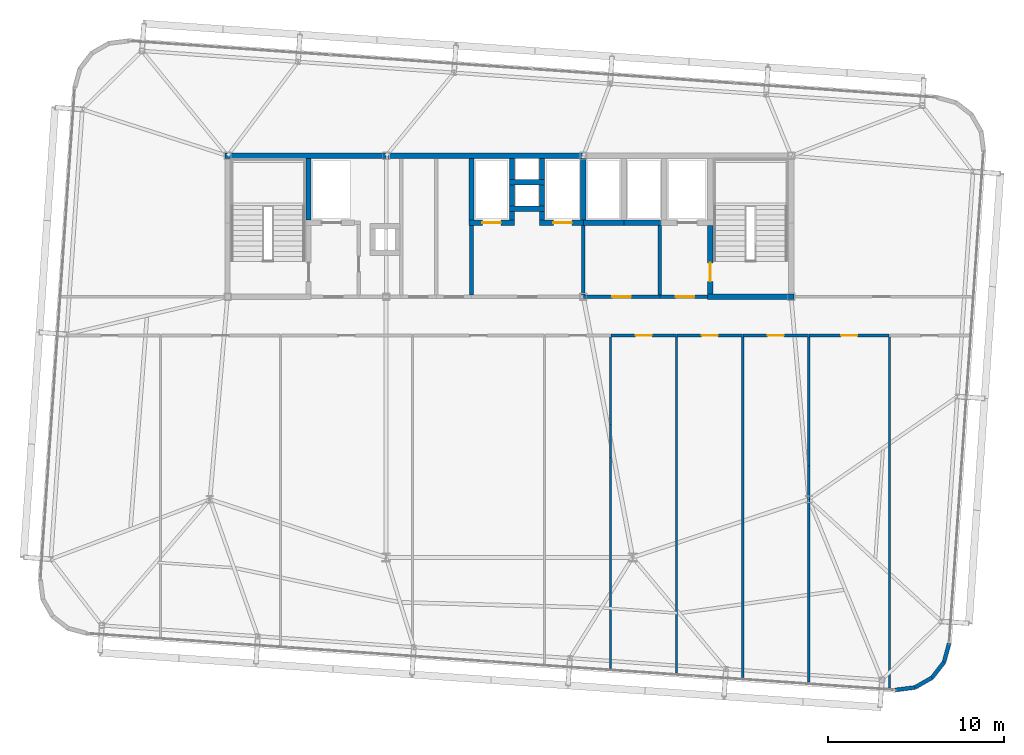
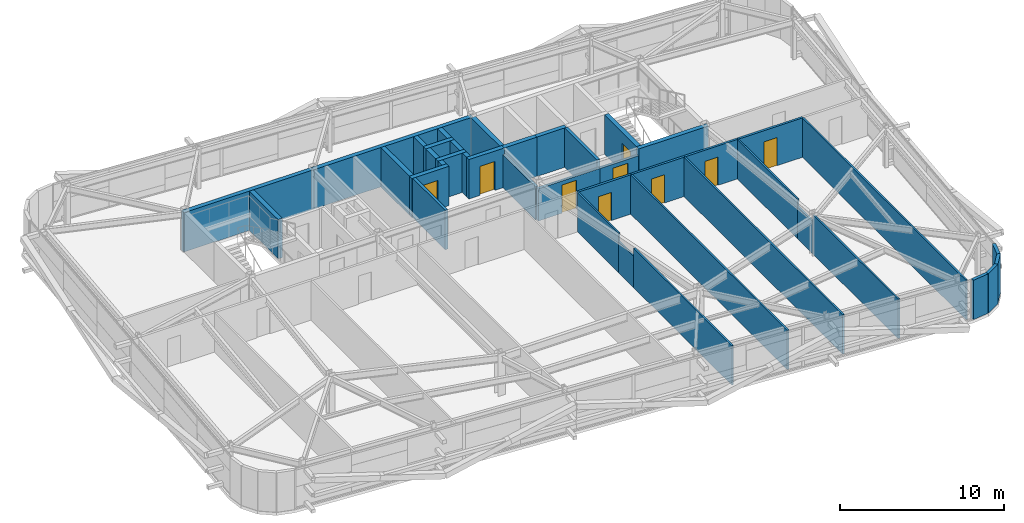
# One storey, part 36 of 39: 41 walls, 9 doors, 9 openings.
"""IFC4 building model written with IfcOpenShell, lengths in metres."""

from ifc_helpers import new_model, si_unit, direction, frame, frame_2d, origin, place, context, subcontext, project, spatial, rectangle, extrude, source, transform, mapped, material, layer, layer_set, type_object, element, fill, save


model = new_model("IFC4")

# Units and contexts
model_context = context("Model", 3, precision=1e-05, world=origin(), true_north=direction((0.0, 1.0)))
body_context = subcontext(model_context, "Body", "Model", "MODEL_VIEW")
ifc_project = project(units=[si_unit("LENGTHUNIT", "METRE"), si_unit("AREAUNIT", "SQUARE_METRE"), si_unit("VOLUMEUNIT", "CUBIC_METRE"), si_unit("PLANEANGLEUNIT", "RADIAN"), si_unit("MASSUNIT", "GRAM", prefix="KILO")], contexts=[model_context])

# Site, building, storey
site_placement = place(None, origin())
site = spatial("IfcSite", under=ifc_project, at=site_placement, CompositionType="ELEMENT")
building_placement = place(site_placement, origin())
building = spatial("IfcBuilding", under=site, at=building_placement, Name="Taldren Reach Tower", CompositionType="ELEMENT")
storey_placement = place(building_placement, frame((0.0, 0.0, 136.14990234375)))
storey = spatial("IfcBuildingStorey", under=building, at=storey_placement, Name="L41", CompositionType="ELEMENT", Elevation=136.14990234375)

# Walls
ifc_material_1 = material(Name="Pale Champagne Anodised Aluminium Cladding", Category="aluminium")
ifc_layer_1 = layer(ifc_material_1, 0.04, Name="Pale Champagne Anodised Aluminium Cladding", Category="aluminium")
ifc_material_2 = material(Name="Mineral Wool Acoustic Insulation", Category="insulation")
ifc_layer_2 = layer(ifc_material_2, 0.06, Name="Mineral Wool Acoustic Insulation", Category="insulation")
ifc_material_3 = material(Name="Steel Gr 350 (C350L0)", Category="steel")
ifc_layer_3 = layer(ifc_material_3, 0.12, Name="Steel Gr 350 (C350L0)", Category="steel")
ifc_layer_set_1 = layer_set([ifc_layer_1, ifc_layer_2, ifc_layer_3], Name="Pale Champagne Aluminium Cladding and Steel Gr 350 Stud Framing")
wall_type_1 = type_object("IfcWallType", Name="EW-CRN-220", PredefinedType="SOLIDWALL", material=ifc_layer_set_1)
shared_shape_1 = source(origin(), body_context, "Body", "SweptSolid", [
    extrude(rectangle(XDim=1.115966796875, YDim=0.219970703125, at=frame_2d((0.55810546875, 0.0))), origin(), (0.0, 0.0, 1.0), 2.93017578125),
])
for number, where, z_axis, x_axis, name in (
    (1, (58.02490234375, 1.8173828125, 0.0), (0.0, 0.0, 1.0), (0.868095010314, 0.496398079235, 0.0), "Rounded-corner pale-metal facade wall L41-SE2"),
    (2, (58.99365234375, 2.371337890625, 0.0), (0.0, 0.0, 1.0), (0.612318787668, 0.790610967714, 0.0), "Rounded-corner pale-metal facade wall L41-SE3"),
    (3, (59.677001953125, 3.253662109375, 0.0), (0.0, 0.0, 1.0), (0.262969307856, 0.964804199372, 0.0), "Rounded-corner pale-metal facade wall L41-SE4"),
):
    element("IfcWall", number, at=place(storey_placement, frame(where, z_axis=z_axis, x_axis=x_axis)), inside=storey, type_object=wall_type_1, Name=name, PredefinedType="SOLIDWALL", context=body_context, shape_type="MappedRepresentation", body=[
        mapped(shared_shape_1, transform((0.0, 0.0, 0.0), scale=1.0)),
    ])
shared_shape_2 = source(origin(), body_context, "Body", "SweptSolid", [
    extrude(rectangle(XDim=1.11572265625, YDim=0.219970703125, at=frame_2d((0.557861328125, 0.0))), origin(), (0.0, 0.0, 1.0), 2.93017578125),
])
wall_1_placement = place(storey_placement, frame((56.91796875, 1.6767578125, 0.0), z_axis=(0.0, 0.0, 1.0), x_axis=(0.99202678349, 0.126027222605, 0.0)))
element("IfcWall", 4, at=wall_1_placement, inside=storey, type_object=wall_type_1, Name="Rounded-corner pale-metal facade wall L41-SE1", PredefinedType="SOLIDWALL", context=body_context, shape_type="MappedRepresentation", body=[
    mapped(shared_shape_2, transform((0.0, 0.0, 0.0), scale=1.0)),
])
ifc_material_4 = material(Name="Concrete S65 (65 MPa)", Category="concrete")
ifc_layer_4 = layer(ifc_material_4, 0.300048828125)
ifc_layer_set_2 = layer_set([ifc_layer_4], Name="Concrete S65 (65 MPa)")
wall_type_2 = type_object("IfcWallType", Name="IW-CORE-300", PredefinedType="SHEAR", material=ifc_layer_set_2)
shared_shape_3 = source(origin(), body_context, "Body", "SweptSolid", [
    extrude(rectangle(XDim=9.14990234375, YDim=0.300048828125, at=frame_2d((4.574951171875, 0.0))), origin(), (0.0, 0.0, 1.0), 2.93017578125),
])
wall_2_placement = place(storey_placement, frame((18.85009765625, 32.0, 0.0), z_axis=(0.0, 0.0, 1.0), x_axis=(1.0, 0.0, 0.0)))
element("IfcWall", 5, at=wall_2_placement, inside=storey, type_object=wall_type_2, Name="Rear Core Shear Wall W-CORE-L41-NORTH1", PredefinedType="SHEAR", context=body_context, shape_type="MappedRepresentation", body=[
    mapped(shared_shape_3, transform((0.0, 0.0, 0.0), scale=1.0)),
])
shared_shape_4 = source(origin(), body_context, "Body", "SweptSolid", [
    extrude(rectangle(XDim=11.199951171875, YDim=0.300048828125, at=frame_2d((5.60009765625, 0.0))), origin(), (0.0, 0.0, 1.0), 2.93017578125),
])
wall_3_placement = place(storey_placement, frame((28.0, 32.0, 0.0), z_axis=(0.0, 0.0, 1.0), x_axis=(1.0, 0.0, 0.0)))
element("IfcWall", 6, at=wall_3_placement, inside=storey, type_object=wall_type_2, Name="Rear Core Shear Wall W-CORE-L41-NORTH2", PredefinedType="SHEAR", context=body_context, shape_type="MappedRepresentation", body=[
    mapped(shared_shape_4, transform((0.0, 0.0, 0.0), scale=1.0)),
])
shared_shape_5 = source(origin(), body_context, "Body", "SweptSolid", [
    extrude(rectangle(XDim=3.5, YDim=0.300048828125, at=frame_2d((1.75, 0.0))), origin(), (0.0, 0.0, 1.0), 2.93017578125),
])
for number, where, z_axis, x_axis, name in (
    (7, (23.60009765625, 28.35009765625, 0.0), (0.0, 0.0, 1.0), (0.0, 1.0, 0.0), "Rear Core Shear Wall W-INT-L41-001"),
    (8, (32.85009765625, 31.85009765625, 0.0), (0.0, 0.0, 1.0), (0.0, -1.0, 0.0), "Rear Core Shear Wall W-INT-L41-026"),
    (9, (39.199951171875, 28.35009765625, 0.0), (0.0, 0.0, 1.0), (0.0, 1.0, 0.0), "Rear Core Shear Wall W-INT-L41-029"),
):
    element("IfcWall", number, at=place(storey_placement, frame(where, z_axis=z_axis, x_axis=x_axis)), inside=storey, type_object=wall_type_2, Name=name, PredefinedType="SHEAR", context=body_context, shape_type="MappedRepresentation", body=[
        mapped(shared_shape_5, transform((0.0, 0.0, 0.0), scale=1.0)),
    ])

# Wall, opening, door
shared_shape_6 = source(origin(), body_context, "Body", "SweptSolid", [
    extrude(rectangle(XDim=3.900146484375, YDim=0.300048828125, at=frame_2d((1.9501953125, 0.0))), origin(), (0.0, 0.0, 1.0), 2.93017578125),
])
wall_4_placement = place(storey_placement, frame((46.39990234375, 28.050048828125, 0.0), z_axis=(0.0, 0.0, 1.0), x_axis=(0.0, -1.0, 0.0)))
wall_4 = element("IfcWall", 10, at=wall_4_placement, inside=storey, type_object=wall_type_2, Name="Rear Core Shear Wall W-INT-L41-008", PredefinedType="SHEAR", context=body_context, shape_type="MappedRepresentation", body=[
    mapped(shared_shape_6, transform((0.0, 0.0, 0.0), scale=1.0)),
])
shared_shape_7 = source(origin(), body_context, "Body", "SweptSolid", [
    extrude(rectangle(XDim=1.050048828125, YDim=2.10009765625, at=frame_2d((0.52490234375, 1.050048828125))), frame((0.0, 0.16015625, 0.0), z_axis=(0.0, -1.0, 0.0), x_axis=(1.0, 0.0, 0.0)), (0.0, 0.0, 1.0), 0.320068359375),
])
opening_1_placement = place(wall_4_placement, frame((2.125, 0.0, 0.0)))
opening_1 = element("IfcOpeningElement", 11, at=opening_1_placement, cuts=wall_4, Name="Opening DF-105", PredefinedType="OPENING", context=body_context, shape_type="MappedRepresentation", body=[
    mapped(shared_shape_7, transform((0.0, 0.0, 0.0), scale=1.0)),
])
ifc_material_5 = material(Name="Fire-Rated Care and Stair Exit Door")
door_type_1 = type_object("IfcDoorType", Name="ID-FIRE-105", OperationType="NOTDEFINED", PredefinedType="DOOR", material=ifc_material_5)
shared_shape_8 = source(origin(), body_context, "Body", "SweptSolid", [
    extrude(rectangle(XDim=1.050048828125, YDim=2.10009765625, at=frame_2d((0.52490234375, 1.050048828125))), frame((0.0, 0.02490234375, 0.0), z_axis=(0.0, -1.0, 0.0), x_axis=(1.0, 0.0, 0.0)), (0.0, 0.0, 1.0), 0.050048828125),
])
door_1_placement = place(opening_1_placement, origin())
door_1 = element("IfcDoor", 12, at=door_1_placement, inside=storey, type_object=door_type_1, Name="Fire Exit Stair Door DR-L41-003", OperationType="SINGLE_SWING_RIGHT", OverallHeight=2.10009765625, OverallWidth=1.050048828125, PredefinedType="DOOR", context=body_context, shape_type="MappedRepresentation", body=[
    mapped(shared_shape_8, transform((0.0, 0.0, 0.0), scale=1.0)),
])
fill(opening_1, door_1)

# Walls
shared_shape_9 = source(origin(), body_context, "Body", "SweptSolid", [
    extrude(rectangle(XDim=4.89990234375, YDim=0.300048828125, at=frame_2d((2.449951171875, 0.0))), origin(), (0.0, 0.0, 1.0), 2.93017578125),
])
wall_5_placement = place(storey_placement, frame((46.25, 24.0, 0.0), z_axis=(0.0, 0.0, 1.0), x_axis=(1.0, 0.0, 0.0)))
element("IfcWall", 13, at=wall_5_placement, inside=storey, type_object=wall_type_2, Name="Rear Core Shear Wall W-INT-L41-009", PredefinedType="SHEAR", context=body_context, shape_type="MappedRepresentation", body=[
    mapped(shared_shape_9, transform((0.0, 0.0, 0.0), scale=1.0)),
])
ifc_material_6 = material(Name="Concrete S50 (50 MPa)", Category="concrete")
ifc_layer_5 = layer(ifc_material_6, 0.199951171875)
ifc_layer_set_3 = layer_set([ifc_layer_5], Name="Concrete S50 (50 MPa)")
wall_type_3 = type_object("IfcWallType", Name="IW-CORE-200", PredefinedType="SOLIDWALL", material=ifc_layer_set_3)
shared_shape_10 = source(origin(), body_context, "Body", "SweptSolid", [
    extrude(rectangle(XDim=3.949951171875, YDim=0.199951171875, at=frame_2d((1.97509765625, 0.0))), origin(), (0.0, 0.0, 1.0), 2.93017578125),
])
for number, where, z_axis, x_axis, name in (
    (14, (43.550048828125, 28.050048828125, 0.0), (0.0, 0.0, 1.0), (0.0, -1.0, 0.0), "Rear Core Shear Wall W-INT-L41-012"),
    (15, (32.85009765625, 24.10009765625, 0.0), (0.0, 0.0, 1.0), (0.0, 1.0, 0.0), "Rear Core Shear Wall W-INT-L41-030"),
):
    element("IfcWall", number, at=place(storey_placement, frame(where, z_axis=z_axis, x_axis=x_axis)), inside=storey, type_object=wall_type_3, Name=name, PredefinedType="SOLIDWALL", context=body_context, shape_type="MappedRepresentation", body=[
        mapped(shared_shape_10, transform((0.0, 0.0, 0.0), scale=1.0)),
    ])

# Wall, opening, door
shared_shape_11 = source(origin(), body_context, "Body", "SweptSolid", [
    extrude(rectangle(XDim=2.699951171875, YDim=0.199951171875, at=frame_2d((1.35009765625, 0.0))), origin(), (0.0, 0.0, 1.0), 2.397216796875),
])
wall_6_placement = place(storey_placement, frame((43.550048828125, 24.0, 0.0), z_axis=(0.0, 0.0, 1.0), x_axis=(1.0, 0.0, 0.0)))
wall_6 = element("IfcWall", 16, at=wall_6_placement, inside=storey, type_object=wall_type_3, Name="Rear Core Shear Wall W-INT-L41-013", PredefinedType="SOLIDWALL", context=body_context, shape_type="MappedRepresentation", body=[
    mapped(shared_shape_11, transform((0.0, 0.0, 0.0), scale=1.0)),
])
shared_shape_12 = source(origin(), body_context, "Body", "SweptSolid", [
    extrude(rectangle(XDim=1.050048828125, YDim=2.10009765625, at=frame_2d((0.52490234375, 1.050048828125))), frame((0.0, 0.10986328125, 0.0), z_axis=(0.0, -1.0, 0.0), x_axis=(1.0, 0.0, 0.0)), (0.0, 0.0, 1.0), 0.219970703125),
])
opening_2_placement = place(wall_6_placement, frame((0.89990234375, 0.0, 0.0)))
opening_2 = element("IfcOpeningElement", 17, at=opening_2_placement, cuts=wall_6, Name="Opening DF-105", PredefinedType="OPENING", context=body_context, shape_type="MappedRepresentation", body=[
    mapped(shared_shape_12, transform((0.0, 0.0, 0.0), scale=1.0)),
])
door_2_placement = place(opening_2_placement, origin())
door_2 = element("IfcDoor", 18, at=door_2_placement, inside=storey, type_object=door_type_1, Name="Interior Door DR-L41-004", OperationType="SINGLE_SWING_LEFT", OverallHeight=2.10009765625, OverallWidth=1.050048828125, PredefinedType="DOOR", context=body_context, shape_type="MappedRepresentation", body=[
    mapped(shared_shape_8, transform((0.0, 0.0, 0.0), scale=1.0)),
])
fill(opening_2, door_2)

# Walls
shared_shape_13 = source(origin(), body_context, "Body", "SweptSolid", [
    extrude(rectangle(XDim=2.0, YDim=0.300048828125, at=frame_2d((1.0, 0.0))), origin(), (0.0, 0.0, 1.0), 2.93017578125),
])
for number, where, z_axis, x_axis, name in (
    (19, (35.0, 30.5, 0.0), (0.0, 0.0, 1.0), (1.0, 0.0, 0.0), "Rear Core Shear Wall W-INT-L41-014"),
    (20, (35.0, 29.0, 0.0), (0.0, 0.0, 1.0), (1.0, 0.0, 0.0), "Rear Core Shear Wall W-INT-L41-019"),
):
    element("IfcWall", number, at=place(storey_placement, frame(where, z_axis=z_axis, x_axis=x_axis)), inside=storey, type_object=wall_type_2, Name=name, PredefinedType="SHEAR", context=body_context, shape_type="MappedRepresentation", body=[
        mapped(shared_shape_13, transform((0.0, 0.0, 0.0), scale=1.0)),
    ])
shared_shape_14 = source(origin(), body_context, "Body", "SweptSolid", [
    extrude(rectangle(XDim=1.2001953125, YDim=0.300048828125, at=frame_2d((0.60009765625, 0.0))), origin(), (0.0, 0.0, 1.0), 2.93017578125),
])
for number, where, z_axis, x_axis, name in (
    (21, (35.14990234375, 31.85009765625, 0.0), (0.0, 0.0, 1.0), (0.0, -1.0, 0.0), "Rear Core Shear Wall W-INT-L41-015"),
    (22, (36.85009765625, 30.64990234375, 0.0), (0.0, 0.0, 1.0), (0.0, 1.0, 0.0), "Rear Core Shear Wall W-INT-L41-016"),
    (23, (35.14990234375, 30.35009765625, 0.0), (0.0, 0.0, 1.0), (0.0, -1.0, 0.0), "Rear Core Shear Wall W-INT-L41-017"),
    (24, (36.85009765625, 29.14990234375, 0.0), (0.0, 0.0, 1.0), (0.0, 1.0, 0.0), "Rear Core Shear Wall W-INT-L41-018"),
):
    element("IfcWall", number, at=place(storey_placement, frame(where, z_axis=z_axis, x_axis=x_axis)), inside=storey, type_object=wall_type_2, Name=name, PredefinedType="SHEAR", context=body_context, shape_type="MappedRepresentation", body=[
        mapped(shared_shape_14, transform((0.0, 0.0, 0.0), scale=1.0)),
    ])
shared_shape_15 = source(origin(), body_context, "Body", "SweptSolid", [
    extrude(rectangle(XDim=2.070068359375, YDim=0.300048828125, at=frame_2d((1.03515625, 0.0))), origin(), (0.0, 0.0, 1.0), 2.93017578125),
])
wall_7_placement = place(storey_placement, frame((41.5, 28.199951171875, 0.0), z_axis=(0.0, 0.0, 1.0), x_axis=(1.0, 0.0, 0.0)))
element("IfcWall", 25, at=wall_7_placement, inside=storey, type_object=wall_type_2, Name="Rear Core Shear Wall W-INT-L41-035", PredefinedType="SHEAR", context=body_context, shape_type="MappedRepresentation", body=[
    mapped(shared_shape_15, transform((0.0, 0.0, 0.0), scale=1.0)),
])

# Wall, opening, door
shared_shape_16 = source(origin(), body_context, "Body", "SweptSolid", [
    extrude(rectangle(XDim=2.60009765625, YDim=0.300048828125, at=frame_2d((1.300048828125, 0.0))), origin(), (0.0, 0.0, 1.0), 2.93017578125),
])
wall_8_placement = place(storey_placement, frame((32.699951171875, 28.199951171875, 0.0), z_axis=(0.0, 0.0, 1.0), x_axis=(1.0, 0.0, 0.0)))
wall_8 = element("IfcWall", 26, at=wall_8_placement, inside=storey, type_object=wall_type_2, Name="Rear Core Shear Wall W-INT-L41-024", PredefinedType="SHEAR", context=body_context, shape_type="MappedRepresentation", body=[
    mapped(shared_shape_16, transform((0.0, 0.0, 0.0), scale=1.0)),
])
shared_shape_17 = source(origin(), body_context, "Body", "SweptSolid", [
    extrude(rectangle(XDim=1.050048828125, YDim=2.14990234375, at=frame_2d((0.52490234375, 1.074951171875))), frame((0.0, 0.16015625, 0.0), z_axis=(0.0, -1.0, 0.0), x_axis=(1.0, 0.0, 0.0)), (0.0, 0.0, 1.0), 0.320068359375),
])
opening_3_placement = place(wall_8_placement, frame((0.77490234375, 0.0, 0.0)))
opening_3 = element("IfcOpeningElement", 27, at=opening_3_placement, cuts=wall_8, Name="Opening LD-PM1", PredefinedType="OPENING", context=body_context, shape_type="MappedRepresentation", body=[
    mapped(shared_shape_17, transform((0.0, 0.0, 0.0), scale=1.0)),
])
ifc_material_7 = material(Name="Stainless Steel Gr 316 Passenger Lift Landing Door", Category="steel")
door_type_2 = type_object("IfcDoorType", Name="LD-PAS-105", OperationType="SLIDING_TO_LEFT", PredefinedType="DOOR", material=ifc_material_7)
shared_shape_18 = source(origin(), body_context, "Body", "SweptSolid", [
    extrude(rectangle(XDim=1.050048828125, YDim=2.14990234375, at=frame_2d((0.52490234375, 1.074951171875))), frame((0.0, 0.02490234375, 0.0), z_axis=(0.0, -1.0, 0.0), x_axis=(1.0, 0.0, 0.0)), (0.0, 0.0, 1.0), 0.050048828125),
])
door_3_placement = place(opening_3_placement, origin())
door_3 = element("IfcDoor", 28, at=door_3_placement, inside=storey, type_object=door_type_2, Name="Lift Landing Door LD-PM1-L41", OperationType="SLIDING_TO_LEFT", OverallHeight=2.14990234375, OverallWidth=1.050048828125, PredefinedType="DOOR", context=body_context, shape_type="MappedRepresentation", body=[
    mapped(shared_shape_18, transform((0.0, 0.0, 0.0), scale=1.0)),
])
fill(opening_3, door_3)

# Walls
shared_shape_19 = source(origin(), body_context, "Body", "SweptSolid", [
    extrude(rectangle(XDim=0.5, YDim=0.300048828125, at=frame_2d((0.25, 0.0))), origin(), (0.0, 0.0, 1.0), 2.93017578125),
])
for number, where, z_axis, x_axis, name in (
    (29, (35.14990234375, 28.35009765625, 0.0), (0.0, 0.0, 1.0), (0.0, 1.0, 0.0), "Rear Core Shear Wall W-INT-L41-025"),
    (30, (36.85009765625, 28.85009765625, 0.0), (0.0, 0.0, 1.0), (0.0, -1.0, 0.0), "Rear Core Shear Wall W-INT-L41-028"),
):
    element("IfcWall", number, at=place(storey_placement, frame(where, z_axis=z_axis, x_axis=x_axis)), inside=storey, type_object=wall_type_2, Name=name, PredefinedType="SHEAR", context=body_context, shape_type="MappedRepresentation", body=[
        mapped(shared_shape_19, transform((0.0, 0.0, 0.0), scale=1.0)),
    ])

# Wall, opening, door
shared_shape_20 = source(origin(), body_context, "Body", "SweptSolid", [
    extrude(rectangle(XDim=4.35009765625, YDim=0.199951171875, at=frame_2d((2.175048828125, 0.0))), origin(), (0.0, 0.0, 1.0), 2.397216796875),
])
wall_9_placement = place(storey_placement, frame((43.550048828125, 24.0, 0.0), z_axis=(0.0, 0.0, 1.0), x_axis=(-1.0, 0.0, 0.0)))
wall_9 = element("IfcWall", 31, at=wall_9_placement, inside=storey, type_object=wall_type_3, Name="Rear Core Shear Wall W-INT-L41-041", PredefinedType="SOLIDWALL", context=body_context, shape_type="MappedRepresentation", body=[
    mapped(shared_shape_20, transform((0.0, 0.0, 0.0), scale=1.0)),
])
opening_4_placement = place(wall_9_placement, frame((1.64990234375, 0.0, 0.0)))
opening_4 = element("IfcOpeningElement", 32, at=opening_4_placement, cuts=wall_9, Name="Opening DF-105", PredefinedType="OPENING", context=body_context, shape_type="MappedRepresentation", body=[
    mapped(shared_shape_12, transform((0.0, 0.0, 0.0), scale=1.0)),
])
door_4_placement = place(opening_4_placement, frame((1.050048828125, 0.0, 0.0), z_axis=(0.0, 0.0, 1.0), x_axis=(-1.0, 0.0, 0.0)))
door_4 = element("IfcDoor", 33, at=door_4_placement, inside=storey, type_object=door_type_1, Name="Interior Door DR-L41-008", OperationType="SINGLE_SWING_RIGHT", OverallHeight=2.10009765625, OverallWidth=1.050048828125, PredefinedType="DOOR", context=body_context, shape_type="MappedRepresentation", body=[
    mapped(shared_shape_8, transform((0.0, 0.0, 0.0), scale=1.0)),
])
fill(opening_4, door_4)

shared_shape_21 = source(origin(), body_context, "Body", "SweptSolid", [
    extrude(rectangle(XDim=2.5, YDim=0.300048828125, at=frame_2d((1.25, 0.0))), origin(), (0.0, 0.0, 1.0), 2.93017578125),
])
wall_10_placement = place(storey_placement, frame((36.699951171875, 28.199951171875, 0.0), z_axis=(0.0, 0.0, 1.0), x_axis=(1.0, 0.0, 0.0)))
wall_10 = element("IfcWall", 34, at=wall_10_placement, inside=storey, type_object=wall_type_2, Name="Rear Core Shear Wall W-INT-L41-027", PredefinedType="SHEAR", context=body_context, shape_type="MappedRepresentation", body=[
    mapped(shared_shape_21, transform((0.0, 0.0, 0.0), scale=1.0)),
])
opening_5_placement = place(wall_10_placement, frame((0.794921875, 0.0, 0.0)))
opening_5 = element("IfcOpeningElement", 35, at=opening_5_placement, cuts=wall_10, Name="Opening LD-PM2", PredefinedType="OPENING", context=body_context, shape_type="MappedRepresentation", body=[
    mapped(shared_shape_17, transform((0.0, 0.0, 0.0), scale=1.0)),
])
door_5_placement = place(opening_5_placement, origin())
door_5 = element("IfcDoor", 36, at=door_5_placement, inside=storey, type_object=door_type_2, Name="Lift Landing Door LD-PM2-L41", OperationType="SLIDING_TO_LEFT", OverallHeight=2.14990234375, OverallWidth=1.050048828125, PredefinedType="DOOR", context=body_context, shape_type="MappedRepresentation", body=[
    mapped(shared_shape_18, transform((0.0, 0.0, 0.0), scale=1.0)),
])
fill(opening_5, door_5)

# Walls
shared_shape_22 = source(origin(), body_context, "Body", "SweptSolid", [
    extrude(rectangle(XDim=3.949951171875, YDim=0.199951171875, at=frame_2d((1.97509765625, 0.0))), origin(), (0.0, 0.0, 1.0), 2.47021484375),
])
wall_11_placement = place(storey_placement, frame((39.199951171875, 28.050048828125, 0.0), z_axis=(0.0, 0.0, 1.0), x_axis=(0.0, -1.0, 0.0)))
element("IfcWall", 37, at=wall_11_placement, inside=storey, type_object=wall_type_3, Name="Rear Core Shear Wall W-INT-L41-031", PredefinedType="SOLIDWALL", context=body_context, shape_type="MappedRepresentation", body=[
    mapped(shared_shape_22, transform((0.0, 0.0, 0.0), scale=1.0)),
])
shared_shape_23 = source(origin(), body_context, "Body", "SweptSolid", [
    extrude(rectangle(XDim=2.300048828125, YDim=0.300048828125, at=frame_2d((1.14990234375, 0.0))), origin(), (0.0, 0.0, 1.0), 2.93017578125),
])
wall_12_placement = place(storey_placement, frame((39.199951171875, 28.199951171875, 0.0), z_axis=(0.0, 0.0, 1.0), x_axis=(1.0, 0.0, 0.0)))
element("IfcWall", 38, at=wall_12_placement, inside=storey, type_object=wall_type_2, Name="Rear Core Shear Wall W-INT-L41-034", PredefinedType="SHEAR", context=body_context, shape_type="MappedRepresentation", body=[
    mapped(shared_shape_23, transform((0.0, 0.0, 0.0), scale=1.0)),
])
ifc_material_8 = material(Name="Insulated Residential Stud Partition", Category="gypsum")
ifc_layer_6 = layer(ifc_material_8, 0.1201171875)
ifc_layer_set_4 = layer_set([ifc_layer_6], Name="Insulated Residential Stud Partition")
wall_type_4 = type_object("IfcWallType", Name="IW-PART-120", PredefinedType="PARTITIONING", material=ifc_layer_set_4)
shared_shape_24 = source(origin(), body_context, "Body", "SweptSolid", [
    extrude(rectangle(XDim=1.9013671875, YDim=0.1201171875, at=frame_2d((0.95068359375, 0.0))), origin(), (0.0, 0.0, 1.0), 2.397216796875),
])
wall_13_placement = place(storey_placement, frame((52.0, 14.396240234375, 0.0), z_axis=(0.0, 0.0, 1.0), x_axis=(0.0, -1.0, 0.0)))
element("IfcWall", 39, at=wall_13_placement, inside=storey, type_object=wall_type_4, Name="Interior Partition Wall W-INT-L41-061 part 2", PredefinedType="PARTITIONING", context=body_context, shape_type="MappedRepresentation", body=[
    mapped(shared_shape_24, transform((0.0, 0.0, 0.0), scale=1.0)),
])

# Wall, opening, door
ifc_material_9 = material(Name="Fire-Rated Acoustic Plasterboard Stud Wall", Category="gypsum")
ifc_layer_7 = layer(ifc_material_9, 0.159912109375)
ifc_layer_set_5 = layer_set([ifc_layer_7], Name="Fire-Rated Acoustic Plasterboard Stud Wall")
wall_type_5 = type_object("IfcWallType", Name="IW-FIRE-160", PredefinedType="PARTITIONING", material=ifc_layer_set_5)
shared_shape_25 = source(origin(), body_context, "Body", "SweptSolid", [
    extrude(rectangle(XDim=3.70947265625, YDim=0.159912109375, at=frame_2d((1.854736328125, 0.0))), origin(), (0.0, 0.0, 1.0), 2.93017578125),
])
wall_14_placement = place(storey_placement, frame((44.479736328125, 21.800048828125, 0.0), z_axis=(0.0, 0.0, 1.0), x_axis=(-1.0, 0.0, 0.0)))
wall_14 = element("IfcWall", 40, at=wall_14_placement, inside=storey, type_object=wall_type_5, Name="Interior Partition Wall W-INT-L41-047", PredefinedType="PARTITIONING", context=body_context, shape_type="MappedRepresentation", body=[
    mapped(shared_shape_25, transform((0.0, 0.0, 0.0), scale=1.0)),
])
shared_shape_26 = source(origin(), body_context, "Body", "SweptSolid", [
    extrude(rectangle(XDim=0.919921875, YDim=2.10009765625, at=frame_2d((0.4599609375, 1.050048828125))), frame((0.0, 0.08984375, 0.0), z_axis=(0.0, -1.0, 0.0), x_axis=(1.0, 0.0, 0.0)), (0.0, 0.0, 1.0), 0.179931640625),
])
opening_6_placement = place(wall_14_placement, frame((1.394775390625, 0.0, 0.0)))
opening_6 = element("IfcOpeningElement", 41, at=opening_6_placement, cuts=wall_14, Name="Opening DI-092", PredefinedType="OPENING", context=body_context, shape_type="MappedRepresentation", body=[
    mapped(shared_shape_26, transform((0.0, 0.0, 0.0), scale=1.0)),
])
ifc_material_10 = material(Name="Solid-Core Timber Suite Door", Category="wood")
door_type_3 = type_object("IfcDoorType", Name="ID-INT-092", OperationType="NOTDEFINED", PredefinedType="DOOR", material=ifc_material_10)
shared_shape_27 = source(origin(), body_context, "Body", "SweptSolid", [
    extrude(rectangle(XDim=0.919921875, YDim=2.10009765625, at=frame_2d((0.4599609375, 1.050048828125))), frame((0.0, 0.02490234375, 0.0), z_axis=(0.0, -1.0, 0.0), x_axis=(1.0, 0.0, 0.0)), (0.0, 0.0, 1.0), 0.050048828125),
])
door_6_placement = place(opening_6_placement, origin())
door_6 = element("IfcDoor", 42, at=door_6_placement, inside=storey, type_object=door_type_3, Name="Interior Door DR-L41-014", OperationType="SINGLE_SWING_LEFT", OverallHeight=2.10009765625, OverallWidth=0.919921875, PredefinedType="DOOR", context=body_context, shape_type="MappedRepresentation", body=[
    mapped(shared_shape_27, transform((0.0, 0.0, 0.0), scale=1.0)),
])
fill(opening_6, door_6)

wall_15_placement = place(storey_placement, frame((48.229736328125, 21.800048828125, 0.0), z_axis=(0.0, 0.0, 1.0), x_axis=(-1.0, 0.0, 0.0)))
wall_15 = element("IfcWall", 43, at=wall_15_placement, inside=storey, type_object=wall_type_5, Name="Interior Partition Wall W-INT-L41-048", PredefinedType="PARTITIONING", context=body_context, shape_type="MappedRepresentation", body=[
    mapped(shared_shape_25, transform((0.0, 0.0, 0.0), scale=1.0)),
])
opening_7_placement = place(wall_15_placement, frame((1.394775390625, 0.0, 0.0)))
opening_7 = element("IfcOpeningElement", 44, at=opening_7_placement, cuts=wall_15, Name="Opening DI-092", PredefinedType="OPENING", context=body_context, shape_type="MappedRepresentation", body=[
    mapped(shared_shape_26, transform((0.0, 0.0, 0.0), scale=1.0)),
])
door_7_placement = place(opening_7_placement, origin())
door_7 = element("IfcDoor", 45, at=door_7_placement, inside=storey, type_object=door_type_3, Name="Interior Door DR-L41-015", OperationType="SINGLE_SWING_RIGHT", OverallHeight=2.10009765625, OverallWidth=0.919921875, PredefinedType="DOOR", context=body_context, shape_type="MappedRepresentation", body=[
    mapped(shared_shape_27, transform((0.0, 0.0, 0.0), scale=1.0)),
])
fill(opening_7, door_7)

wall_16_placement = place(storey_placement, frame((51.979736328125, 21.800048828125, 0.0), z_axis=(0.0, 0.0, 1.0), x_axis=(-1.0, 0.0, 0.0)))
wall_16 = element("IfcWall", 46, at=wall_16_placement, inside=storey, type_object=wall_type_5, Name="Interior Partition Wall W-INT-L41-049", PredefinedType="PARTITIONING", context=body_context, shape_type="MappedRepresentation", body=[
    mapped(shared_shape_25, transform((0.0, 0.0, 0.0), scale=1.0)),
])
opening_8_placement = place(wall_16_placement, frame((1.394775390625, 0.0, 0.0)))
opening_8 = element("IfcOpeningElement", 47, at=opening_8_placement, cuts=wall_16, Name="Opening DI-092", PredefinedType="OPENING", context=body_context, shape_type="MappedRepresentation", body=[
    mapped(shared_shape_26, transform((0.0, 0.0, 0.0), scale=1.0)),
])
door_8_placement = place(opening_8_placement, origin())
door_8 = element("IfcDoor", 48, at=door_8_placement, inside=storey, type_object=door_type_3, Name="Interior Door DR-L41-016", OperationType="SINGLE_SWING_LEFT", OverallHeight=2.10009765625, OverallWidth=0.919921875, PredefinedType="DOOR", context=body_context, shape_type="MappedRepresentation", body=[
    mapped(shared_shape_27, transform((0.0, 0.0, 0.0), scale=1.0)),
])
fill(opening_8, door_8)

shared_shape_28 = source(origin(), body_context, "Body", "SweptSolid", [
    extrude(rectangle(XDim=4.54736328125, YDim=0.159912109375, at=frame_2d((2.273681640625, 0.0))), origin(), (0.0, 0.0, 1.0), 2.93017578125),
])
wall_17_placement = place(storey_placement, frame((56.56787109375, 21.800048828125, 0.0), z_axis=(0.0, 0.0, 1.0), x_axis=(-1.0, 0.0, 0.0)))
wall_17 = element("IfcWall", 49, at=wall_17_placement, inside=storey, type_object=wall_type_5, Name="Interior Partition Wall W-INT-L41-050", PredefinedType="PARTITIONING", context=body_context, shape_type="MappedRepresentation", body=[
    mapped(shared_shape_28, transform((0.0, 0.0, 0.0), scale=1.0)),
])
opening_9_placement = place(wall_17_placement, frame((1.813720703125, 0.0, 0.0)))
opening_9 = element("IfcOpeningElement", 50, at=opening_9_placement, cuts=wall_17, Name="Opening DI-092", PredefinedType="OPENING", context=body_context, shape_type="MappedRepresentation", body=[
    mapped(shared_shape_26, transform((0.0, 0.0, 0.0), scale=1.0)),
])
door_9_placement = place(opening_9_placement, origin())
door_9 = element("IfcDoor", 51, at=door_9_placement, inside=storey, type_object=door_type_3, Name="Interior Door DR-L41-017", OperationType="SINGLE_SWING_RIGHT", OverallHeight=2.10009765625, OverallWidth=0.919921875, PredefinedType="DOOR", context=body_context, shape_type="MappedRepresentation", body=[
    mapped(shared_shape_27, transform((0.0, 0.0, 0.0), scale=1.0)),
])
fill(opening_9, door_9)

# Walls
shared_shape_29 = source(origin(), body_context, "Body", "SweptSolid", [
    extrude(rectangle(XDim=4.982421875, YDim=0.1201171875, at=frame_2d((2.4912109375, 0.0))), origin(), (0.0, 0.0, 1.0), 2.93017578125),
])
wall_18_placement = place(storey_placement, frame((40.75, 21.719970703125, 0.0), z_axis=(0.0, 0.0, 1.0), x_axis=(0.0, -1.0, 0.0)))
element("IfcWall", 52, at=wall_18_placement, inside=storey, type_object=wall_type_4, Name="Interior Partition Wall W-INT-L41-058", PredefinedType="PARTITIONING", context=body_context, shape_type="MappedRepresentation", body=[
    mapped(shared_shape_29, transform((0.0, 0.0, 0.0), scale=1.0)),
])
shared_shape_30 = source(origin(), body_context, "Body", "SweptSolid", [
    extrude(rectangle(XDim=1.86083984375, YDim=0.1201171875, at=frame_2d((0.930419921875, 0.0))), origin(), (0.0, 0.0, 1.0), 2.328125),
])
wall_19_placement = place(storey_placement, frame((40.75, 16.737548828125, 0.0), z_axis=(0.0, 0.0, 1.0), x_axis=(0.0, -1.0, 0.0)))
element("IfcWall", 53, at=wall_19_placement, inside=storey, type_object=wall_type_4, Name="Interior Partition Wall W-INT-L41-058 part 2", PredefinedType="PARTITIONING", context=body_context, shape_type="MappedRepresentation", body=[
    mapped(shared_shape_30, transform((0.0, 0.0, 0.0), scale=1.0)),
])
shared_shape_31 = source(origin(), body_context, "Body", "SweptSolid", [
    extrude(rectangle(XDim=11.9736328125, YDim=0.1201171875, at=frame_2d((5.98681640625, 0.0))), origin(), (0.0, 0.0, 1.0), 2.93017578125),
])
wall_20_placement = place(storey_placement, frame((40.75, 14.876708984375, 0.0), z_axis=(0.0, 0.0, 1.0), x_axis=(0.0, -1.0, 0.0)))
element("IfcWall", 54, at=wall_20_placement, inside=storey, type_object=wall_type_4, Name="Interior Partition Wall W-INT-L41-058 part 3", PredefinedType="PARTITIONING", context=body_context, shape_type="MappedRepresentation", body=[
    mapped(shared_shape_31, transform((0.0, 0.0, 0.0), scale=1.0)),
])
shared_shape_32 = source(origin(), body_context, "Body", "SweptSolid", [
    extrude(rectangle(XDim=19.0751953125, YDim=0.1201171875, at=frame_2d((9.53759765625, 0.0))), origin(), (0.0, 0.0, 1.0), 2.93017578125),
])
wall_21_placement = place(storey_placement, frame((44.5, 21.718017578125, 0.0), z_axis=(0.0, 0.0, 1.0), x_axis=(0.0, -1.0, 0.0)))
element("IfcWall", 55, at=wall_21_placement, inside=storey, type_object=wall_type_4, Name="Interior Partition Wall W-INT-L41-059", PredefinedType="PARTITIONING", context=body_context, shape_type="MappedRepresentation", body=[
    mapped(shared_shape_32, transform((0.0, 0.0, 0.0), scale=1.0)),
])
shared_shape_33 = source(origin(), body_context, "Body", "SweptSolid", [
    extrude(rectangle(XDim=19.34130859375, YDim=0.1201171875, at=frame_2d((9.670654296875, 0.0))), origin(), (0.0, 0.0, 1.0), 2.93017578125),
])
wall_22_placement = place(storey_placement, frame((48.25, 21.719970703125, 0.0), z_axis=(0.0, 0.0, 1.0), x_axis=(0.0, -1.0, 0.0)))
element("IfcWall", 56, at=wall_22_placement, inside=storey, type_object=wall_type_4, Name="Interior Partition Wall W-INT-L41-060", PredefinedType="PARTITIONING", context=body_context, shape_type="MappedRepresentation", body=[
    mapped(shared_shape_33, transform((0.0, 0.0, 0.0), scale=1.0)),
])
shared_shape_34 = source(origin(), body_context, "Body", "SweptSolid", [
    extrude(rectangle(XDim=7.32177734375, YDim=0.1201171875, at=frame_2d((3.660888671875, 0.0))), origin(), (0.0, 0.0, 1.0), 2.93017578125),
])
wall_23_placement = place(storey_placement, frame((52.0, 21.718017578125, 0.0), z_axis=(0.0, 0.0, 1.0), x_axis=(0.0, -1.0, 0.0)))
element("IfcWall", 57, at=wall_23_placement, inside=storey, type_object=wall_type_4, Name="Interior Partition Wall W-INT-L41-061", PredefinedType="PARTITIONING", context=body_context, shape_type="MappedRepresentation", body=[
    mapped(shared_shape_34, transform((0.0, 0.0, 0.0), scale=1.0)),
])
shared_shape_35 = source(origin(), body_context, "Body", "SweptSolid", [
    extrude(rectangle(XDim=10.37646484375, YDim=0.1201171875, at=frame_2d((5.188232421875, 0.0))), origin(), (0.0, 0.0, 1.0), 2.93017578125),
])
wall_24_placement = place(storey_placement, frame((52.0, 12.494873046875, 0.0), z_axis=(0.0, 0.0, 1.0), x_axis=(0.0, -1.0, 0.0)))
element("IfcWall", 58, at=wall_24_placement, inside=storey, type_object=wall_type_4, Name="Interior Partition Wall W-INT-L41-061 part 3", PredefinedType="PARTITIONING", context=body_context, shape_type="MappedRepresentation", body=[
    mapped(shared_shape_35, transform((0.0, 0.0, 0.0), scale=1.0)),
])
shared_shape_36 = source(origin(), body_context, "Body", "SweptSolid", [
    extrude(rectangle(XDim=19.92041015625, YDim=0.1201171875, at=frame_2d((9.960205078125, 0.0))), origin(), (0.0, 0.0, 1.0), 2.93017578125),
])
wall_25_placement = place(storey_placement, frame((56.588134765625, 21.718017578125, 0.0), z_axis=(0.0, 0.0, 1.0), x_axis=(0.0, -1.0, 0.0)))
element("IfcWall", 59, at=wall_25_placement, inside=storey, type_object=wall_type_4, Name="Interior Partition Wall W-INT-L41-062", PredefinedType="PARTITIONING", context=body_context, shape_type="MappedRepresentation", body=[
    mapped(shared_shape_36, transform((0.0, 0.0, 0.0), scale=1.0)),
])

save(model, "model.ifc")
